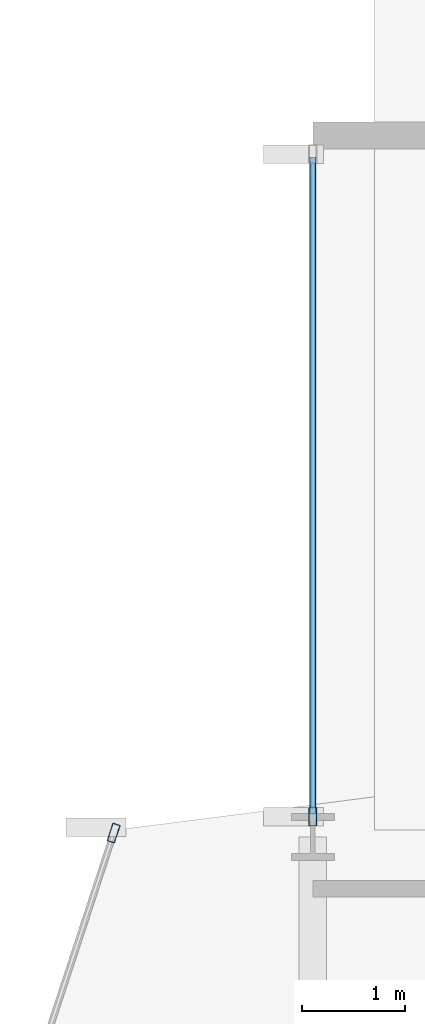
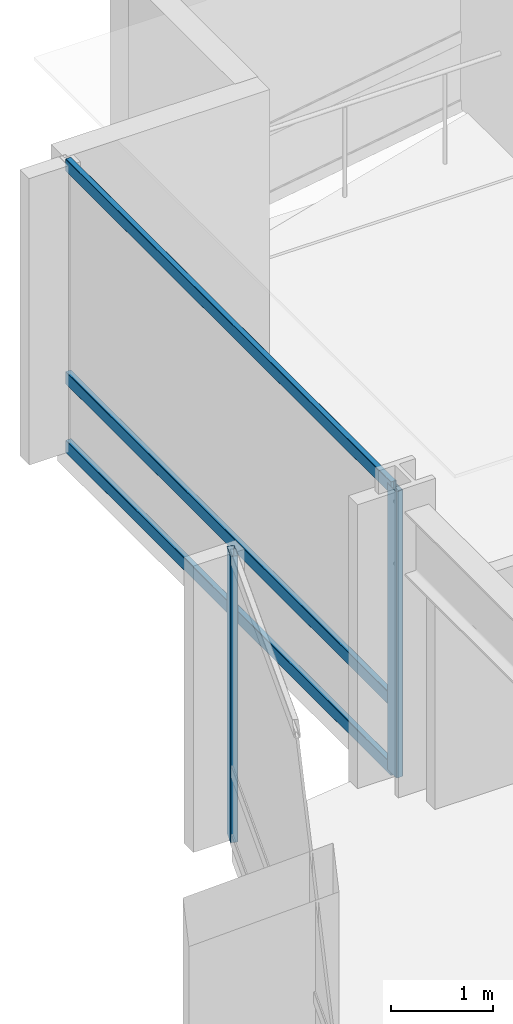
# One storey, part 16 of 28: 5 members, 2 elements without a shape of their own.
"""IFC4 building model written with IfcOpenShell, lengths in metres."""

from ifc_helpers import new_model, si_unit, direction, frame, origin, origin_2d, place, context, subcontext, project, spatial, hollow_rectangle, extrude, material, layer, layer_set, material_profile, profile_set, type_object, element, aggregate, save


model = new_model("IFC4")

# Units and contexts
model_context = context("Model", 3, precision=1e-05, world=origin(), true_north=direction((0.0, 1.0)))
body_context = subcontext(model_context, "Body", "Model", "MODEL_VIEW")
ifc_project = project(units=[si_unit("LENGTHUNIT", "METRE"), si_unit("AREAUNIT", "SQUARE_METRE"), si_unit("VOLUMEUNIT", "CUBIC_METRE"), si_unit("PLANEANGLEUNIT", "RADIAN"), si_unit("MASSUNIT", "GRAM", prefix="KILO")], contexts=[model_context])

# Site, building, storey
site_placement = place(None, origin())
site = spatial("IfcSite", under=ifc_project, at=site_placement, CompositionType="ELEMENT")
building_placement = place(site_placement, origin())
building = spatial("IfcBuilding", under=site, at=building_placement, Name="Solvaryn Broadcast Tower", CompositionType="ELEMENT")
storey_placement = place(building_placement, frame((0.0, 0.0, 132.199951171875)))
storey = spatial("IfcBuildingStorey", under=building, at=storey_placement, Name="L32", CompositionType="ELEMENT", Elevation=132.199951171875)

# Curtain wall, member
ifc_material_1 = material(Name="Aluminium and Terracotta Unitised Curtain Wall", Category="masonry")
ifc_layer = layer(ifc_material_1, 0.199951171875)
ifc_layer_set = layer_set([ifc_layer], Name="CW-SYS2-LOWMID")
curtain_wall_type = type_object("IfcCurtainWallType", Name="CW-SYS2-LOWMID", PredefinedType="NOTDEFINED", material=ifc_layer_set)
curtain_wall_1_placement = place(storey_placement, origin())
curtain_wall_1 = element("IfcCurtainWall", 1, at=curtain_wall_1_placement, inside=storey, type_object=curtain_wall_type, Name="L32 Curtain Wall DR1", PredefinedType="NOTDEFINED")
ifc_material_2 = material(Name="Anodised Aluminium 6063-T6", Category="aluminium")
ifc_material_profile_1 = material_profile(ifc_material_2, hollow_rectangle(XDim=0.074951171875, YDim=0.179931640625, WallThickness=0.00390625, InnerFilletRadius=0.00390625, OuterFilletRadius=0.008056640625, at=origin_2d()))
ifc_profile_set_1 = profile_set([ifc_material_profile_1], Name="Anodised Aluminium 6063-T6")
member_type_1 = type_object("IfcMemberType", Name="CW-MUL-180", PredefinedType="MULLION", material=ifc_profile_set_1)
member_1_placement = place(storey_placement, frame((7.069580078125, 45.03857421875, 0.0), z_axis=(0.0, 0.0, 1.0), x_axis=(0.950198260794, -0.311646057547, 0.0)))
member_1 = element("IfcMember", 2, at=member_1_placement, type_object=member_type_1, Name="CWS2 mullion 1", PredefinedType="MULLION", context=body_context, shape_type="SweptSolid", body=[
    extrude(hollow_rectangle(XDim=0.074951171875, YDim=0.179931640625, WallThickness=0.00390625, InnerFilletRadius=0.00390625, OuterFilletRadius=0.008056640625, at=origin_2d()), origin(), (0.0, 0.0, 1.0), 3.420166015625),
])
aggregate(curtain_wall_1, [member_1])

# Curtain wall, members
curtain_wall_2_placement = place(storey_placement, origin())
curtain_wall_2 = element("IfcCurtainWall", 3, at=curtain_wall_2_placement, inside=storey, type_object=curtain_wall_type, Name="L32 Curtain Wall W2", PredefinedType="NOTDEFINED")
member_2_placement = place(storey_placement, frame((9.0, 45.197021484375, 0.0), z_axis=(0.0, 0.0, 1.0), x_axis=(-1.0, 0.0, 0.0)))
member_2 = element("IfcMember", 4, at=member_2_placement, type_object=member_type_1, Name="CWS2 mullion 1", PredefinedType="MULLION", context=body_context, shape_type="SweptSolid", body=[
    extrude(hollow_rectangle(XDim=0.074951171875, YDim=0.179931640625, WallThickness=0.00390625, InnerFilletRadius=0.00390625, OuterFilletRadius=0.008056640625, at=origin_2d()), origin(), (0.0, 0.0, 1.0), 3.420166015625),
])
ifc_material_3 = material(Name="Anodised Aluminium 6063-T6", Category="aluminium")
ifc_material_profile_2 = material_profile(ifc_material_3, hollow_rectangle(XDim=0.06494140625, YDim=0.14990234375, WallThickness=0.00390625, InnerFilletRadius=0.00390625, OuterFilletRadius=0.008056640625, at=origin_2d()))
ifc_profile_set_2 = profile_set([ifc_material_profile_2], Name="Anodised Aluminium 6063-T6")
member_type_2 = type_object("IfcMemberType", Name="CW-TRN-150", PredefinedType="USERDEFINED", material=ifc_profile_set_2)
member_3_placement = place(storey_placement, frame((9.0, 45.22705078125, 0.030029296875), z_axis=(0.0, 1.0, 0.0), x_axis=(-1.0, 0.0, 0.0)))
member_3 = element("IfcMember", 5, at=member_3_placement, type_object=member_type_2, Name="CWS2 transom 1.1", ObjectType="TRANSOM", PredefinedType="USERDEFINED", context=body_context, shape_type="SweptSolid", body=[
    extrude(hollow_rectangle(XDim=0.06494140625, YDim=0.14990234375, WallThickness=0.00390625, InnerFilletRadius=0.00390625, OuterFilletRadius=0.008056640625, at=origin_2d()), origin(), (0.0, 0.0, 1.0), 6.363037109375),
])
member_4_placement = place(storey_placement, frame((9.0, 45.22705078125, 0.85009765625), z_axis=(0.0, 1.0, 0.0), x_axis=(-1.0, 0.0, 0.0)))
member_4 = element("IfcMember", 6, at=member_4_placement, type_object=member_type_2, Name="CWS2 transom 1.2", ObjectType="TRANSOM", PredefinedType="USERDEFINED", context=body_context, shape_type="SweptSolid", body=[
    extrude(hollow_rectangle(XDim=0.06494140625, YDim=0.14990234375, WallThickness=0.00390625, InnerFilletRadius=0.00390625, OuterFilletRadius=0.008056640625, at=origin_2d()), origin(), (0.0, 0.0, 1.0), 6.363037109375),
])
member_5_placement = place(storey_placement, frame((9.0, 45.22705078125, 3.39013671875), z_axis=(0.0, 1.0, 0.0), x_axis=(-1.0, 0.0, 0.0)))
member_5 = element("IfcMember", 7, at=member_5_placement, type_object=member_type_2, Name="CWS2 transom 1.3", ObjectType="TRANSOM", PredefinedType="USERDEFINED", context=body_context, shape_type="SweptSolid", body=[
    extrude(hollow_rectangle(XDim=0.06494140625, YDim=0.14990234375, WallThickness=0.00390625, InnerFilletRadius=0.00390625, OuterFilletRadius=0.008056640625, at=origin_2d()), origin(), (0.0, 0.0, 1.0), 6.363037109375),
])
aggregate(curtain_wall_2, [member_2, member_3, member_4, member_5])

save(model, "model.ifc")
